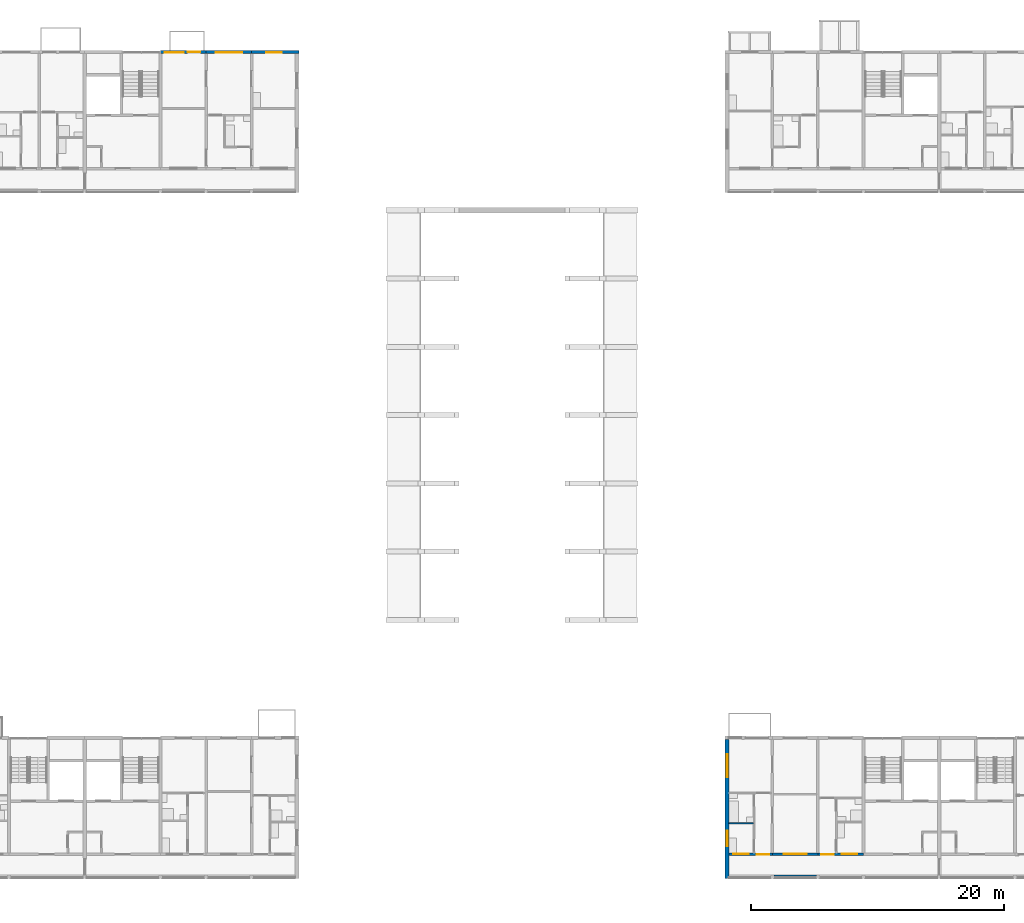
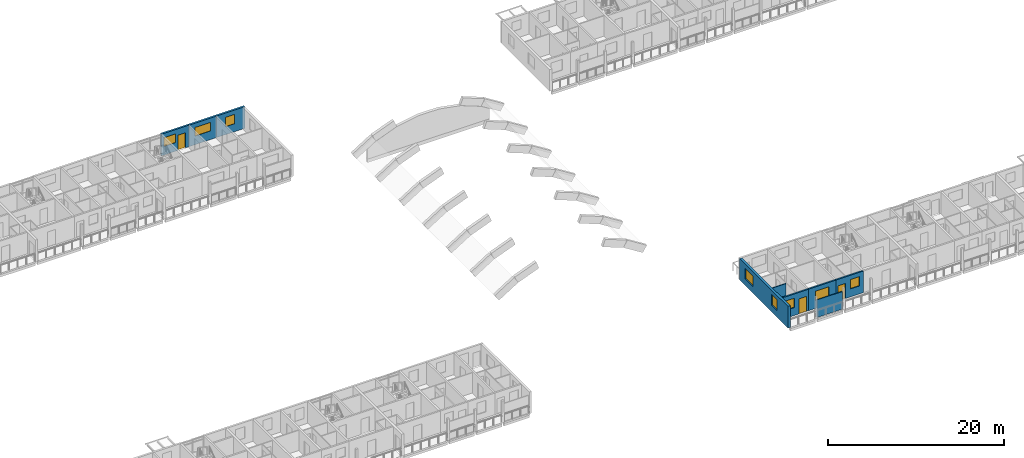
# One storey, part 43 of 99: 9 walls, 8 windows, 3 doors, 11 openings.
"""IFC4 building model written with IfcOpenShell, lengths in metres."""

from ifc_helpers import new_model, si_unit, direction, frame, frame_2d, origin, place, context, subcontext, project, spatial, rectangle, extrude, material, layer, layer_set, type_object, element, fill, save


model = new_model("IFC4")

# Units and contexts
model_context = context("Model", 3, precision=1e-05, world=origin(), true_north=direction((0.0, 1.0)))
body_context = subcontext(model_context, "Body", "Model", "MODEL_VIEW")
ifc_project = project(units=[si_unit("LENGTHUNIT", "METRE"), si_unit("AREAUNIT", "SQUARE_METRE"), si_unit("VOLUMEUNIT", "CUBIC_METRE"), si_unit("PLANEANGLEUNIT", "RADIAN"), si_unit("MASSUNIT", "GRAM", prefix="KILO")], contexts=[model_context])

# Site, building, storey
site_placement = place(None, origin())
site = spatial("IfcSite", under=ifc_project, at=site_placement, CompositionType="ELEMENT")
building_placement = place(site_placement, origin())
building = spatial("IfcBuilding", under=site, at=building_placement, Name="Ridgestep Commons", CompositionType="ELEMENT")
storey_placement = place(building_placement, frame((0.0, 0.0, 15.0)))
storey = spatial("IfcBuildingStorey", under=building, at=storey_placement, Name="L05", CompositionType="ELEMENT", Elevation=15.0)

# Wall, openings, windows
ifc_material_1 = material(Name="Precast concrete C40/50", Category="concrete")
ifc_layer_1 = layer(ifc_material_1, 0.300048828125)
ifc_layer_set_1 = layer_set([ifc_layer_1], Name="Exposed division wall 300")
wall_type_1 = type_object("IfcWallType", Name="Exposed division wall 300", PredefinedType="SHEAR", material=ifc_layer_set_1)
wall_1_placement = place(storey_placement, frame((146.800048828125, 11.75, 0.0), z_axis=(0.0, 0.0, 1.0), x_axis=(0.0, 1.0, 0.0)))
wall_1 = element("IfcWall", 1, at=wall_1_placement, inside=storey, type_object=wall_type_1, Name="Cross wall D-05-1468", PredefinedType="SHEAR", context=body_context, shape_type="SweptSolid", body=[
    extrude(rectangle(XDim=11.0, YDim=0.300048828125, at=frame_2d((5.5, 0.0))), origin(), (0.0, 0.0, 1.0), 3.0),
])
opening_1_placement = place(wall_1_placement, frame((2.550048828125, 0.0, 0.89990234375)))
opening_1 = element("IfcOpeningElement", 2, at=opening_1_placement, cuts=wall_1, Name="Opening W10", PredefinedType="OPENING", context=body_context, shape_type="SweptSolid", body=[
    extrude(rectangle(XDim=1.199951171875, YDim=1.5, at=frame_2d((0.60009765625, 0.75))), frame((0.0, 0.159912109375, 0.0), z_axis=(0.0, -1.0, 0.0), x_axis=(1.0, 0.0, 0.0)), (0.0, 0.0, 1.0), 0.320068359375),
])
opening_2_placement = place(wall_1_placement, frame((8.0048828125, 0.0, 0.89990234375)))
opening_2 = element("IfcOpeningElement", 3, at=opening_2_placement, cuts=wall_1, Name="Opening W20", PredefinedType="OPENING", context=body_context, shape_type="SweptSolid", body=[
    extrude(rectangle(XDim=1.800048828125, YDim=1.5, at=frame_2d((0.89990234375, 0.75))), frame((0.0, 0.159912109375, 0.0), z_axis=(0.0, -1.0, 0.0), x_axis=(1.0, 0.0, 0.0)), (0.0, 0.0, 1.0), 0.320068359375),
])
ifc_material_2 = material(Name="Aluminium 6063-T6 and glass", Category="aluminium")
window_type_1 = type_object("IfcWindowType", Name="Flat window 1200 x 1500", PartitioningType="SINGLE_PANEL", PredefinedType="WINDOW", material=ifc_material_2)
window_1_placement = place(opening_1_placement, origin())
window_1 = element("IfcWindow", 4, at=window_1_placement, inside=storey, type_object=window_type_1, Name="Window D1-05a 5", OverallHeight=1.5, OverallWidth=1.199951171875, PartitioningType="SINGLE_PANEL", PredefinedType="WINDOW", context=body_context, shape_type="SweptSolid", body=[
    extrude(rectangle(XDim=1.199951171875, YDim=1.5, at=frame_2d((0.60009765625, 0.75))), frame((0.0, 0.0, 0.0), z_axis=(0.0, -1.0, 0.0), x_axis=(1.0, 0.0, 0.0)), (0.0, 0.0, 1.0), 0.06005859375),
])
fill(opening_1, window_1)
ifc_material_3 = material(Name="Aluminium 6063-T6 and glass", Category="aluminium")
window_type_2 = type_object("IfcWindowType", Name="Flat window 1800 x 1500", PartitioningType="DOUBLE_PANEL_VERTICAL", PredefinedType="WINDOW", material=ifc_material_3)
window_2_placement = place(opening_2_placement, origin())
window_2 = element("IfcWindow", 5, at=window_2_placement, inside=storey, type_object=window_type_2, Name="Window D1-05a 6", OverallHeight=1.5, OverallWidth=1.800048828125, PartitioningType="SINGLE_PANEL", PredefinedType="WINDOW", context=body_context, shape_type="SweptSolid", body=[
    extrude(rectangle(XDim=1.800048828125, YDim=1.5, at=frame_2d((0.89990234375, 0.75))), frame((0.0, 0.0, 0.0), z_axis=(0.0, -1.0, 0.0), x_axis=(1.0, 0.0, 0.0)), (0.0, 0.0, 1.0), 0.06005859375),
])
fill(opening_2, window_2)

# Wall, openings, door, window
ifc_material_4 = material(Name="Precast concrete C40/50", Category="concrete")
ifc_layer_2 = layer(ifc_material_4, 0.25)
ifc_layer_set_2 = layer_set([ifc_layer_2], Name="North facade panel 250")
wall_type_2 = type_object("IfcWallType", Name="North facade panel 250", PredefinedType="SOLIDWALL", material=ifc_layer_set_2)
wall_2_placement = place(storey_placement, frame((102.0, 77.125, 0.0), z_axis=(0.0, 0.0, 1.0), x_axis=(1.0, 0.0, 0.0)))
wall_2 = element("IfcWall", 6, at=wall_2_placement, inside=storey, type_object=wall_type_2, Name="North panel B6T3 L05", PredefinedType="SOLIDWALL", context=body_context, shape_type="SweptSolid", body=[
    extrude(rectangle(XDim=3.60009765625, YDim=0.25, at=frame_2d((1.800048828125, 0.0))), origin(), (0.0, 0.0, 1.0), 3.0),
])
opening_3_placement = place(wall_2_placement, frame((0.33447265625, 0.0, 1.199951171875)))
opening_3 = element("IfcOpeningElement", 7, at=opening_3_placement, cuts=wall_2, Name="Opening W13", PredefinedType="OPENING", context=body_context, shape_type="SweptSolid", body=[
    extrude(rectangle(XDim=1.5, YDim=1.199951171875, at=frame_2d((0.75, 0.60009765625))), frame((0.0, 0.135009765625, 0.0), z_axis=(0.0, -1.0, 0.0), x_axis=(1.0, 0.0, 0.0)), (0.0, 0.0, 1.0), 0.27001953125),
])
opening_4_placement = place(wall_2_placement, frame((2.14404296875, 0.0, 0.0)))
opening_4 = element("IfcOpeningElement", 8, at=opening_4_placement, cuts=wall_2, Name="Opening B6-05a/8", PredefinedType="OPENING", context=body_context, shape_type="SweptSolid", body=[
    extrude(rectangle(XDim=1.0, YDim=2.10009765625, at=frame_2d((0.5, 1.050048828125))), frame((0.0, 0.135009765625, 0.0), z_axis=(0.0, -1.0, 0.0), x_axis=(1.0, 0.0, 0.0)), (0.0, 0.0, 1.0), 0.27001953125),
])
ifc_material_5 = material(Name="Aluminium and glass", Category="aluminium")
door_type_1 = type_object("IfcDoorType", Name="Balcony door 1000 x 2100", OperationType="NOTDEFINED", PredefinedType="DOOR", material=ifc_material_5)
door_1_placement = place(opening_4_placement, origin())
door_1 = element("IfcDoor", 9, at=door_1_placement, inside=storey, type_object=door_type_1, Name="Balcony door B6-05a/8", OperationType="SINGLE_SWING_LEFT", OverallHeight=2.10009765625, OverallWidth=1.0, PredefinedType="DOOR", context=body_context, shape_type="SweptSolid", body=[
    extrude(rectangle(XDim=1.0, YDim=2.10009765625, at=frame_2d((0.5, 1.050048828125))), frame((0.0, 0.02490234375, 0.0), z_axis=(0.0, -1.0, 0.0), x_axis=(1.0, 0.0, 0.0)), (0.0, 0.0, 1.0), 0.050048828125),
])
fill(opening_4, door_1)
ifc_material_6 = material(Name="Aluminium 6063-T6 and glass", Category="aluminium")
window_type_3 = type_object("IfcWindowType", Name="Flat window 1500 x 1200", PartitioningType="DOUBLE_PANEL_VERTICAL", PredefinedType="WINDOW", material=ifc_material_6)
window_3_placement = place(opening_3_placement, origin())
window_3 = element("IfcWindow", 10, at=window_3_placement, inside=storey, type_object=window_type_3, Name="Window B6-05a 2", OverallHeight=1.199951171875, OverallWidth=1.5, PartitioningType="SINGLE_PANEL", PredefinedType="WINDOW", context=body_context, shape_type="SweptSolid", body=[
    extrude(rectangle(XDim=1.5, YDim=1.199951171875, at=frame_2d((0.75, 0.60009765625))), frame((0.0, -0.02490234375, 0.0), z_axis=(0.0, -1.0, 0.0), x_axis=(1.0, 0.0, 0.0)), (0.0, 0.0, 1.0), 0.06005859375),
])
fill(opening_3, window_3)

# Wall, opening, window
wall_3_placement = place(storey_placement, frame((105.60009765625, 77.125, 0.0), z_axis=(0.0, 0.0, 1.0), x_axis=(1.0, 0.0, 0.0)))
wall_3 = element("IfcWall", 11, at=wall_3_placement, inside=storey, type_object=wall_type_2, Name="North panel B6T2 L05", PredefinedType="SOLIDWALL", context=body_context, shape_type="SweptSolid", body=[
    extrude(rectangle(XDim=3.599853515625, YDim=0.25, at=frame_2d((1.7998046875, 0.0))), origin(), (0.0, 0.0, 1.0), 3.0),
])
opening_5_placement = place(wall_3_placement, frame((0.75, 0.0, 1.199951171875)))
opening_5 = element("IfcOpeningElement", 12, at=opening_5_placement, cuts=wall_3, Name="Opening W22", PredefinedType="OPENING", context=body_context, shape_type="SweptSolid", body=[
    extrude(rectangle(XDim=2.10009765625, YDim=1.199951171875, at=frame_2d((1.050048828125, 0.60009765625))), frame((0.0, 0.135009765625, 0.0), z_axis=(0.0, -1.0, 0.0), x_axis=(1.0, 0.0, 0.0)), (0.0, 0.0, 1.0), 0.27001953125),
])
ifc_material_7 = material(Name="Aluminium 6063-T6 and glass", Category="aluminium")
window_type_4 = type_object("IfcWindowType", Name="Flat window 2100 x 1200", PartitioningType="DOUBLE_PANEL_VERTICAL", PredefinedType="WINDOW", material=ifc_material_7)
window_4_placement = place(opening_5_placement, origin())
window_4 = element("IfcWindow", 13, at=window_4_placement, inside=storey, type_object=window_type_4, Name="Window B6-05a 5", OverallHeight=1.199951171875, OverallWidth=2.10009765625, PartitioningType="SINGLE_PANEL", PredefinedType="WINDOW", context=body_context, shape_type="SweptSolid", body=[
    extrude(rectangle(XDim=2.10009765625, YDim=1.199951171875, at=frame_2d((1.050048828125, 0.60009765625))), frame((0.0, -0.02490234375, 0.0), z_axis=(0.0, -1.0, 0.0), x_axis=(1.0, 0.0, 0.0)), (0.0, 0.0, 1.0), 0.06005859375),
])
fill(opening_5, window_4)

wall_4_placement = place(storey_placement, frame((109.199951171875, 77.125, 0.0), z_axis=(0.0, 0.0, 1.0), x_axis=(1.0, 0.0, 0.0)))
wall_4 = element("IfcWall", 14, at=wall_4_placement, inside=storey, type_object=wall_type_2, Name="North panel B6T1 L05", PredefinedType="SOLIDWALL", context=body_context, shape_type="SweptSolid", body=[
    extrude(rectangle(XDim=3.75, YDim=0.25, at=frame_2d((1.875, 0.0))), origin(), (0.0, 0.0, 1.0), 3.0),
])
opening_6_placement = place(wall_4_placement, frame((1.175048828125, 0.0, 1.10009765625)))
opening_6 = element("IfcOpeningElement", 15, at=opening_6_placement, cuts=wall_4, Name="Opening W08", PredefinedType="OPENING", context=body_context, shape_type="SweptSolid", body=[
    extrude(rectangle(XDim=1.199951171875, YDim=1.300048828125, at=frame_2d((0.60009765625, 0.64990234375))), frame((0.0, 0.135009765625, 0.0), z_axis=(0.0, -1.0, 0.0), x_axis=(1.0, 0.0, 0.0)), (0.0, 0.0, 1.0), 0.27001953125),
])
ifc_material_8 = material(Name="Aluminium 6063-T6 and glass", Category="aluminium")
window_type_5 = type_object("IfcWindowType", Name="Flat window 1200 x 1300", PartitioningType="SINGLE_PANEL", PredefinedType="WINDOW", material=ifc_material_8)
window_5_placement = place(opening_6_placement, origin())
window_5 = element("IfcWindow", 16, at=window_5_placement, inside=storey, type_object=window_type_5, Name="Window B6-05a 4", OverallHeight=1.300048828125, OverallWidth=1.199951171875, PartitioningType="SINGLE_PANEL", PredefinedType="WINDOW", context=body_context, shape_type="SweptSolid", body=[
    extrude(rectangle(XDim=1.199951171875, YDim=1.300048828125, at=frame_2d((0.60009765625, 0.64990234375))), frame((0.0, -0.02490234375, 0.0), z_axis=(0.0, -1.0, 0.0), x_axis=(1.0, 0.0, 0.0)), (0.0, 0.0, 1.0), 0.06005859375),
])
fill(opening_6, window_5)

# Walls
ifc_material_9 = material(Name="Common brick 110 mm", Category="masonry")
ifc_layer_3 = layer(ifc_material_9, 0.110107421875)
ifc_layer_set_3 = layer_set([ifc_layer_3], Name="Partition 110")
wall_type_3 = type_object("IfcWallType", Name="Partition 110", PredefinedType="PARTITIONING", material=ifc_layer_set_3)
wall_5_placement = place(storey_placement, frame((146.949951171875, 16.10498046875, 0.0), z_axis=(0.0, 0.0, 1.0), x_axis=(1.0, 0.0, 0.0)))
element("IfcWall", 17, at=wall_5_placement, inside=storey, type_object=wall_type_3, Name="Partition D1-05a", PredefinedType="PARTITIONING", context=body_context, shape_type="SweptSolid", body=[
    extrude(rectangle(XDim=1.93994140625, YDim=0.110107421875, at=frame_2d((0.969970703125, 0.0))), origin(), (0.0, 0.0, 1.0), 2.800048828125),
])
ifc_material_10 = material(Name="Precast concrete C30/37", Category="concrete")
ifc_layer_4 = layer(ifc_material_10, 0.10009765625)
ifc_layer_set_4 = layer_set([ifc_layer_4], Name="Perforated gallery screen 3350 x 2450 x 100")
wall_type_4 = type_object("IfcWallType", Name="Perforated gallery screen 3350 x 2450 x 100", PredefinedType="SOLIDWALL", material=ifc_layer_set_4)
wall_6_placement = place(storey_placement, frame((150.52490234375, 11.949951171875, 0.0), z_axis=(0.0, 0.0, 1.0), x_axis=(1.0, 0.0, 0.0)))
element("IfcWall", 18, at=wall_6_placement, inside=storey, type_object=wall_type_4, Name="Gallery screen D1T2 05", PredefinedType="SOLIDWALL", context=body_context, shape_type="SweptSolid", body=[
    extrude(rectangle(XDim=3.35009765625, YDim=0.10009765625, at=frame_2d((1.675048828125, 0.0))), origin(), (0.0, 0.0, 1.0), 2.449951171875),
])

# Wall, openings, door, window
ifc_material_11 = material(Name="Precast concrete C40/50", Category="concrete")
ifc_layer_5 = layer(ifc_material_11, 0.199951171875)
ifc_layer_set_5 = layer_set([ifc_layer_5], Name="South facade panel 200")
wall_type_5 = type_object("IfcWallType", Name="South facade panel 200", PredefinedType="SOLIDWALL", material=ifc_layer_set_5)
wall_7_placement = place(storey_placement, frame((146.949951171875, 13.64990234375, 0.0), z_axis=(0.0, 0.0, 1.0), x_axis=(1.0, 0.0, 0.0)))
wall_7 = element("IfcWall", 19, at=wall_7_placement, inside=storey, type_object=wall_type_5, Name="South panel D1T1 L05", PredefinedType="SOLIDWALL", context=body_context, shape_type="SweptSolid", body=[
    extrude(rectangle(XDim=3.449951171875, YDim=0.199951171875, at=frame_2d((1.72509765625, 0.0))), origin(), (0.0, 0.0, 1.0), 3.0),
])
opening_7_placement = place(wall_7_placement, frame((0.3701171875, 0.0, 1.10009765625)))
opening_7 = element("IfcOpeningElement", 20, at=opening_7_placement, cuts=wall_7, Name="Opening W08", PredefinedType="OPENING", context=body_context, shape_type="SweptSolid", body=[
    extrude(rectangle(XDim=1.199951171875, YDim=1.300048828125, at=frame_2d((0.60009765625, 0.64990234375))), frame((0.0, 0.10986328125, 0.0), z_axis=(0.0, -1.0, 0.0), x_axis=(1.0, 0.0, 0.0)), (0.0, 0.0, 1.0), 0.219970703125),
])
opening_8_placement = place(wall_7_placement, frame((2.199951171875, 0.0, 0.0)))
opening_8 = element("IfcOpeningElement", 21, at=opening_8_placement, cuts=wall_7, Name="Opening D1-05a/1", PredefinedType="OPENING", context=body_context, shape_type="SweptSolid", body=[
    extrude(rectangle(XDim=1.0, YDim=2.10009765625, at=frame_2d((0.5, 1.050048828125))), frame((0.0, 0.10986328125, 0.0), z_axis=(0.0, -1.0, 0.0), x_axis=(1.0, 0.0, 0.0)), (0.0, 0.0, 1.0), 0.219970703125),
])
ifc_material_12 = material(Name="Timber door leaf", Category="wood")
door_type_2 = type_object("IfcDoorType", Name="Flat entrance door 1000 x 2100 FD30S", OperationType="NOTDEFINED", PredefinedType="DOOR", material=ifc_material_12)
door_2_placement = place(opening_8_placement, origin())
door_2 = element("IfcDoor", 22, at=door_2_placement, inside=storey, type_object=door_type_2, Name="Flat entrance door D1-05a/1", OperationType="SINGLE_SWING_RIGHT", OverallHeight=2.10009765625, OverallWidth=1.0, PredefinedType="DOOR", context=body_context, shape_type="SweptSolid", body=[
    extrude(rectangle(XDim=1.0, YDim=2.10009765625, at=frame_2d((0.5, 1.050048828125))), frame((0.0, 0.02490234375, 0.0), z_axis=(0.0, -1.0, 0.0), x_axis=(1.0, 0.0, 0.0)), (0.0, 0.0, 1.0), 0.050048828125),
])
fill(opening_8, door_2)
window_6_placement = place(opening_7_placement, origin())
window_6 = element("IfcWindow", 23, at=window_6_placement, inside=storey, type_object=window_type_5, Name="Window D1-05a 3", OverallHeight=1.300048828125, OverallWidth=1.199951171875, PartitioningType="SINGLE_PANEL", PredefinedType="WINDOW", context=body_context, shape_type="SweptSolid", body=[
    extrude(rectangle(XDim=1.199951171875, YDim=1.300048828125, at=frame_2d((0.60009765625, 0.64990234375))), frame((0.0, 0.06005859375, 0.0), z_axis=(0.0, -1.0, 0.0), x_axis=(1.0, 0.0, 0.0)), (0.0, 0.0, 1.0), 0.06005859375),
])
fill(opening_7, window_6)

# Wall, opening, window
wall_8_placement = place(storey_placement, frame((150.39990234375, 13.64990234375, 0.0), z_axis=(0.0, 0.0, 1.0), x_axis=(1.0, 0.0, 0.0)))
wall_8 = element("IfcWall", 24, at=wall_8_placement, inside=storey, type_object=wall_type_5, Name="South panel D1T2 L05", PredefinedType="SOLIDWALL", context=body_context, shape_type="SweptSolid", body=[
    extrude(rectangle(XDim=3.60009765625, YDim=0.199951171875, at=frame_2d((1.800048828125, 0.0))), origin(), (0.0, 0.0, 1.0), 3.0),
])
opening_9_placement = place(wall_8_placement, frame((0.89990234375, 0.0, 1.10009765625)))
opening_9 = element("IfcOpeningElement", 25, at=opening_9_placement, cuts=wall_8, Name="Opening W18", PredefinedType="OPENING", context=body_context, shape_type="SweptSolid", body=[
    extrude(rectangle(XDim=1.800048828125, YDim=1.300048828125, at=frame_2d((0.89990234375, 0.64990234375))), frame((0.0, 0.10986328125, 0.0), z_axis=(0.0, -1.0, 0.0), x_axis=(1.0, 0.0, 0.0)), (0.0, 0.0, 1.0), 0.219970703125),
])
ifc_material_13 = material(Name="Aluminium 6063-T6 and glass", Category="aluminium")
window_type_6 = type_object("IfcWindowType", Name="Flat window 1800 x 1300", PartitioningType="DOUBLE_PANEL_VERTICAL", PredefinedType="WINDOW", material=ifc_material_13)
window_7_placement = place(opening_9_placement, origin())
window_7 = element("IfcWindow", 26, at=window_7_placement, inside=storey, type_object=window_type_6, Name="Window D1-05a 1", OverallHeight=1.300048828125, OverallWidth=1.800048828125, PartitioningType="SINGLE_PANEL", PredefinedType="WINDOW", context=body_context, shape_type="SweptSolid", body=[
    extrude(rectangle(XDim=1.800048828125, YDim=1.300048828125, at=frame_2d((0.89990234375, 0.64990234375))), frame((0.0, 0.06005859375, 0.0), z_axis=(0.0, -1.0, 0.0), x_axis=(1.0, 0.0, 0.0)), (0.0, 0.0, 1.0), 0.06005859375),
])
fill(opening_9, window_7)

# Wall, openings, door, window
wall_9_placement = place(storey_placement, frame((154.0, 13.64990234375, 0.0), z_axis=(0.0, 0.0, 1.0), x_axis=(1.0, 0.0, 0.0)))
wall_9 = element("IfcWall", 27, at=wall_9_placement, inside=storey, type_object=wall_type_5, Name="South panel D1T3 L05", PredefinedType="SOLIDWALL", context=body_context, shape_type="SweptSolid", body=[
    extrude(rectangle(XDim=3.60009765625, YDim=0.199951171875, at=frame_2d((1.800048828125, 0.0))), origin(), (0.0, 0.0, 1.0), 3.0),
])
opening_10_placement = place(wall_9_placement, frame((1.892578125, 0.0, 1.10009765625)))
opening_10 = element("IfcOpeningElement", 28, at=opening_10_placement, cuts=wall_9, Name="Opening W08", PredefinedType="OPENING", context=body_context, shape_type="SweptSolid", body=[
    extrude(rectangle(XDim=1.199951171875, YDim=1.300048828125, at=frame_2d((0.60009765625, 0.64990234375))), frame((0.0, 0.10986328125, 0.0), z_axis=(0.0, -1.0, 0.0), x_axis=(1.0, 0.0, 0.0)), (0.0, 0.0, 1.0), 0.219970703125),
])
opening_11_placement = place(wall_9_placement, frame((0.25, 0.0, 0.0)))
opening_11 = element("IfcOpeningElement", 29, at=opening_11_placement, cuts=wall_9, Name="Opening D1-05b/1", PredefinedType="OPENING", context=body_context, shape_type="SweptSolid", body=[
    extrude(rectangle(XDim=1.0, YDim=2.10009765625, at=frame_2d((0.5, 1.050048828125))), frame((0.0, 0.10986328125, 0.0), z_axis=(0.0, -1.0, 0.0), x_axis=(1.0, 0.0, 0.0)), (0.0, 0.0, 1.0), 0.219970703125),
])
door_3_placement = place(opening_11_placement, origin())
door_3 = element("IfcDoor", 30, at=door_3_placement, inside=storey, type_object=door_type_2, Name="Flat entrance door D1-05b/1", OperationType="SINGLE_SWING_LEFT", OverallHeight=2.10009765625, OverallWidth=1.0, PredefinedType="DOOR", context=body_context, shape_type="SweptSolid", body=[
    extrude(rectangle(XDim=1.0, YDim=2.10009765625, at=frame_2d((0.5, 1.050048828125))), frame((0.0, 0.02490234375, 0.0), z_axis=(0.0, -1.0, 0.0), x_axis=(1.0, 0.0, 0.0)), (0.0, 0.0, 1.0), 0.050048828125),
])
fill(opening_11, door_3)
window_8_placement = place(opening_10_placement, origin())
window_8 = element("IfcWindow", 31, at=window_8_placement, inside=storey, type_object=window_type_5, Name="Window D1-05b 1", OverallHeight=1.300048828125, OverallWidth=1.199951171875, PartitioningType="SINGLE_PANEL", PredefinedType="WINDOW", context=body_context, shape_type="SweptSolid", body=[
    extrude(rectangle(XDim=1.199951171875, YDim=1.300048828125, at=frame_2d((0.60009765625, 0.64990234375))), frame((0.0, 0.06005859375, 0.0), z_axis=(0.0, -1.0, 0.0), x_axis=(1.0, 0.0, 0.0)), (0.0, 0.0, 1.0), 0.06005859375),
])
fill(opening_10, window_8)

save(model, "model.ifc")
